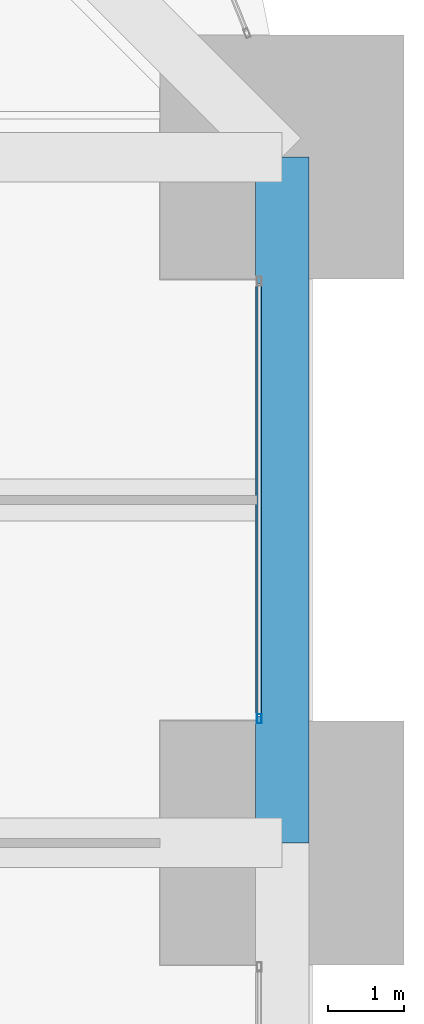
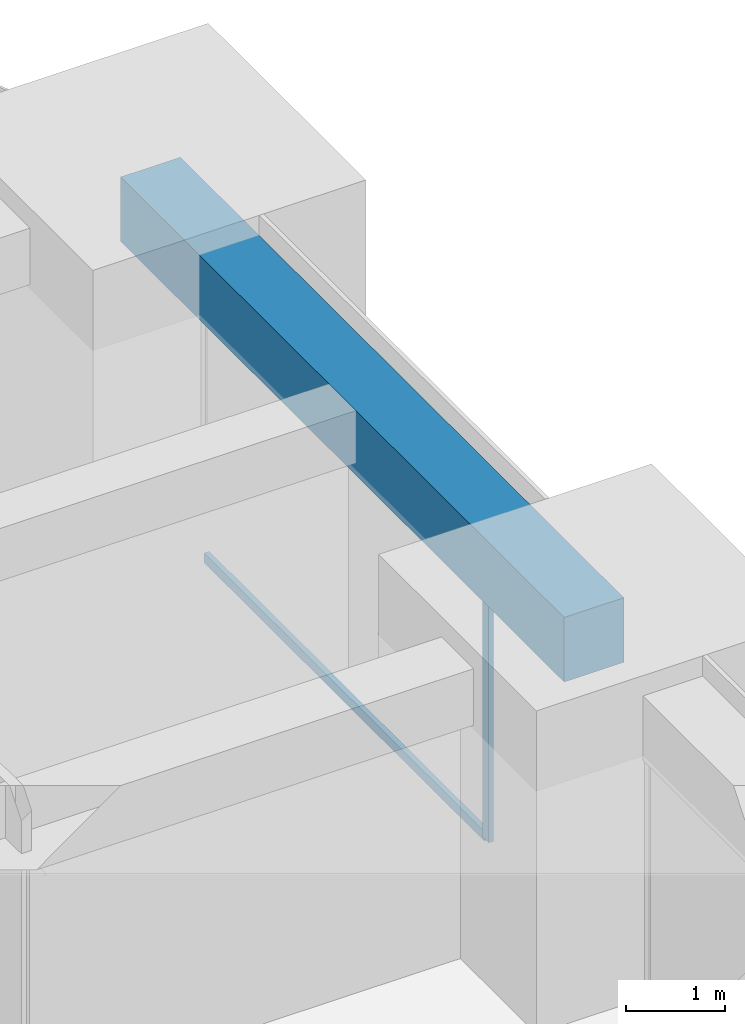
# One storey, part 22 of 40: 2 members, 1 beam, 1 element without a shape of its own.
"""IFC4 building model written with IfcOpenShell, lengths in metres."""

from ifc_helpers import new_model, si_unit, direction, frame, origin, origin_2d, place, context, subcontext, project, spatial, rectangle, hollow_rectangle, extrude, material, material_profile, profile_set, type_object, element, aggregate, save


model = new_model("IFC4")

# Units and contexts
model_context = context("Model", 3, precision=1e-05, world=origin(), true_north=direction((0.0, 1.0)))
body_context = subcontext(model_context, "Body", "Model", "MODEL_VIEW")
ifc_project = project(units=[si_unit("LENGTHUNIT", "METRE"), si_unit("AREAUNIT", "SQUARE_METRE"), si_unit("VOLUMEUNIT", "CUBIC_METRE"), si_unit("PLANEANGLEUNIT", "RADIAN"), si_unit("MASSUNIT", "GRAM", prefix="KILO")], contexts=[model_context])

# Site, building, storey
site_placement = place(None, origin())
site = spatial("IfcSite", under=ifc_project, at=site_placement, CompositionType="ELEMENT")
building_placement = place(site_placement, origin())
building = spatial("IfcBuilding", under=site, at=building_placement, Name="Zorevar Civic Tower", CompositionType="ELEMENT")
storey_placement = place(building_placement, frame((0.0, 0.0, 239.39990234375)))
storey = spatial("IfcBuildingStorey", under=building, at=storey_placement, Name="L58", CompositionType="ELEMENT", Elevation=239.39990234375)

# Curtain wall, members
ifc_material_1 = material(Name="Dark grey solar-control glass in black aluminium frame", Category="aluminium")
curtain_wall_type = type_object("IfcCurtainWallType", Name="Curtain wall CW5 top zone", PredefinedType="NOTDEFINED", material=ifc_material_1)
curtain_wall_placement = place(storey_placement, origin())
curtain_wall = element("IfcCurtainWall", 1, at=curtain_wall_placement, inside=storey, type_object=curtain_wall_type, Name="CW5 L58", PredefinedType="NOTDEFINED")
ifc_material_2 = material(Name="Aluminium, black anodised", Category="aluminium")
ifc_material_profile_1 = material_profile(ifc_material_2, hollow_rectangle(XDim=0.06005859375, YDim=0.1201171875, WallThickness=0.0029296875, at=origin_2d()), Name="AL 120x60x3")
ifc_profile_set_1 = profile_set([ifc_material_profile_1], Name="Aluminium, black anodised")
member_type_1 = type_object("IfcMemberType", Name="CW5 mullion AL 120x60x3", PredefinedType="MULLION", material=ifc_profile_set_1)
member_1_placement = place(storey_placement, frame((53.699951171875, 28.6298828125, 0.0), z_axis=(0.0, 0.0, 1.0), x_axis=(-1.0, 0.0, 0.0)))
member_1 = element("IfcMember", 2, at=member_1_placement, type_object=member_type_1, Name="CW5 mullion 1", PredefinedType="MULLION", context=body_context, shape_type="SweptSolid", body=[
    extrude(hollow_rectangle(XDim=0.06005859375, YDim=0.1201171875, WallThickness=0.0029296875, at=origin_2d()), origin(), (0.0, 0.0, 1.0), 2.9501953125),
])
ifc_material_3 = material(Name="Aluminium, black anodised", Category="aluminium")
ifc_material_profile_2 = material_profile(ifc_material_3, hollow_rectangle(XDim=0.06005859375, YDim=0.1201171875, WallThickness=0.0029296875, at=origin_2d()), Name="AL 120x60x3")
ifc_profile_set_2 = profile_set([ifc_material_profile_2], Name="Aluminium, black anodised")
member_type_2 = type_object("IfcMemberType", Name="CW5 transom AL 120x60x3", PredefinedType="USERDEFINED", material=ifc_profile_set_2)
member_2_placement = place(storey_placement, frame((53.699951171875, 28.659912109375, 0.030029296875), z_axis=(0.0, 1.0, 0.0), x_axis=(-1.0, 0.0, 0.0)))
member_2 = element("IfcMember", 3, at=member_2_placement, type_object=member_type_2, Name="CW5 sill transom", ObjectType="TRANSOM", PredefinedType="USERDEFINED", context=body_context, shape_type="SweptSolid", body=[
    extrude(hollow_rectangle(XDim=0.06005859375, YDim=0.1201171875, WallThickness=0.0029296875, at=origin_2d()), origin(), (0.0, 0.0, 1.0), 5.68017578125),
])
aggregate(curtain_wall, [member_1, member_2])

# Beam
ifc_material_4 = material(Name="Concrete C50/60", Category="concrete")
ifc_material_profile_3 = material_profile(ifc_material_4, rectangle(XDim=0.699951171875, YDim=0.800048828125, at=origin_2d()), Name="RC 700x800")
ifc_profile_set_3 = profile_set([ifc_material_profile_3], Name="Concrete C50/60")
beam_type = type_object("IfcBeamType", Name="Edge beam RC 700x800", PredefinedType="SPANDREL", material=ifc_profile_set_3)
beam_placement = place(storey_placement, frame((54.0, 27.0, 3.35009765625), z_axis=(0.0, 1.0, 0.0), x_axis=(-1.0, 0.0, 0.0)))
element("IfcBeam", 4, at=beam_placement, inside=storey, type_object=beam_type, Name="Edge beam L59", PredefinedType="SPANDREL", context=body_context, shape_type="SweptSolid", body=[
    extrude(rectangle(XDim=0.699951171875, YDim=0.800048828125, at=origin_2d()), origin(), (0.0, 0.0, 1.0), 9.0),
])

save(model, "model.ifc")
